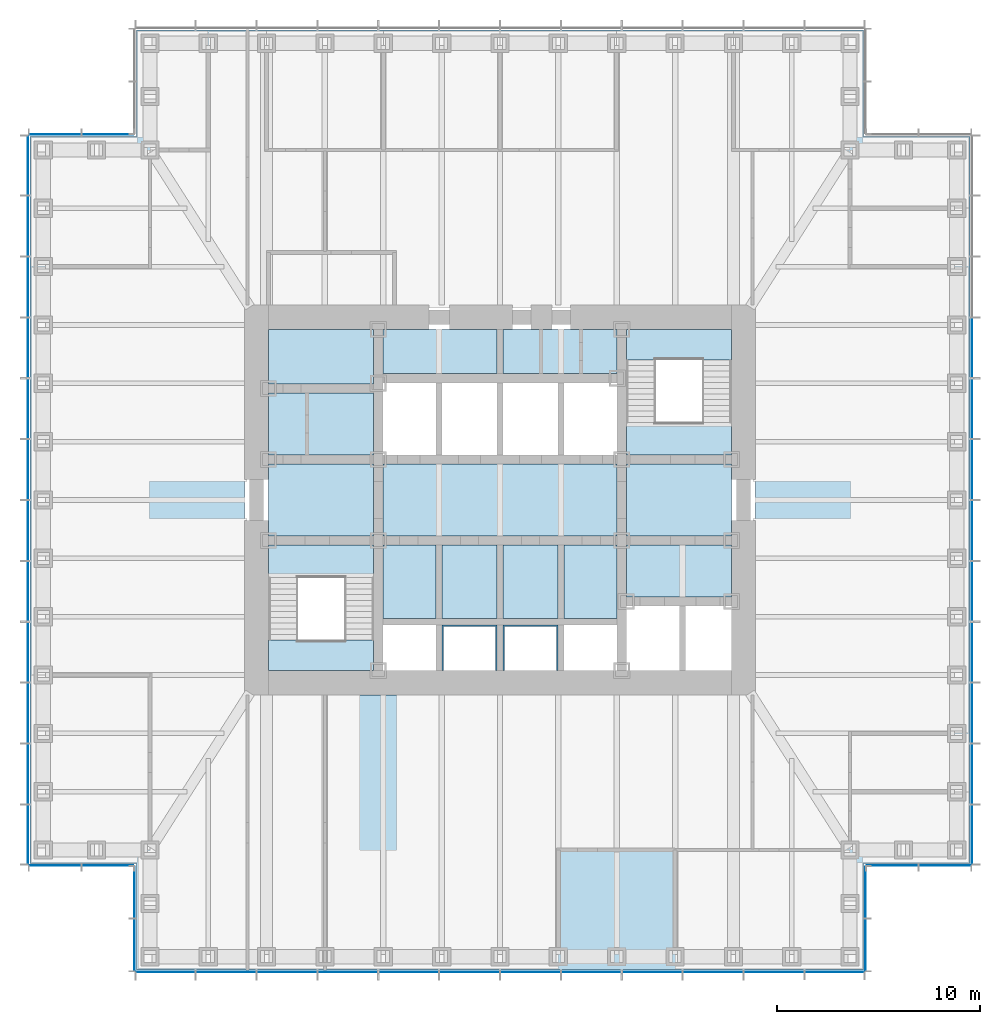
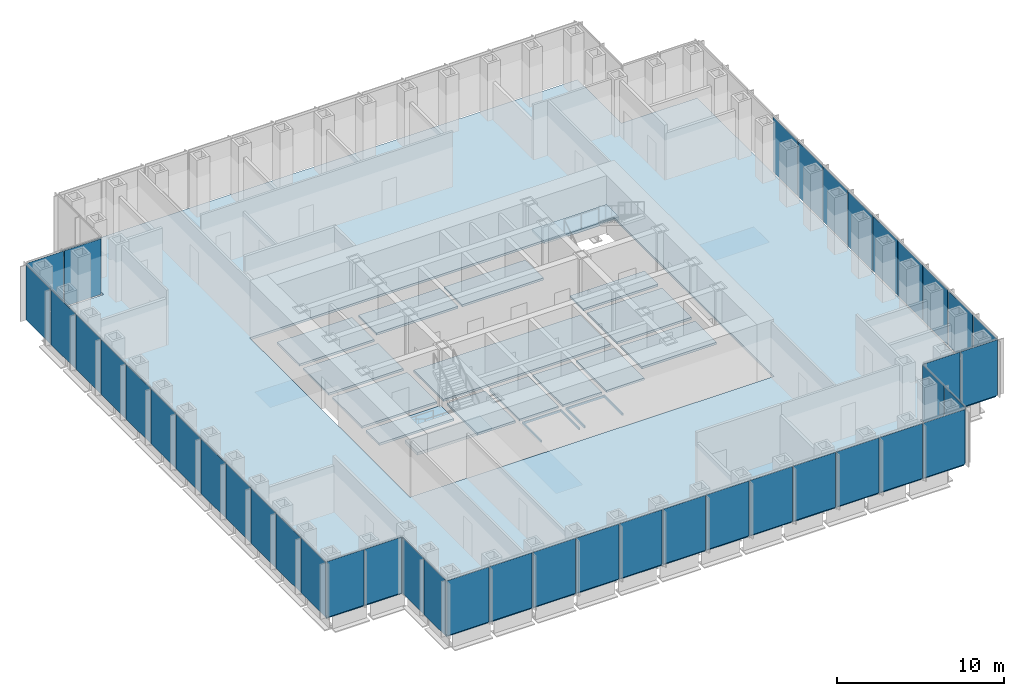
# One storey, part 7 of 17: 43 plates, 19 slabs, 10 elements without a shape of their own.
"""IFC4 building model written with IfcOpenShell, lengths in metres."""

from ifc_helpers import new_model, si_unit, direction, frame, origin, origin_2d, place, context, subcontext, project, spatial, polyline, rectangle, outline, extrude, material, layer, layer_set, type_object, element, aggregate, save


model = new_model("IFC4")

# Units and contexts
model_context = context("Model", 3, precision=1e-05, world=origin(), true_north=direction((0.0, 1.0)))
body_context = subcontext(model_context, "Body", "Model", "MODEL_VIEW")
ifc_project = project(units=[si_unit("LENGTHUNIT", "METRE"), si_unit("AREAUNIT", "SQUARE_METRE"), si_unit("VOLUMEUNIT", "CUBIC_METRE"), si_unit("PLANEANGLEUNIT", "RADIAN"), si_unit("MASSUNIT", "GRAM", prefix="KILO")], contexts=[model_context])

# Site, building, storey
site_placement = place(None, origin())
site = spatial("IfcSite", under=ifc_project, at=site_placement, CompositionType="ELEMENT")
building_placement = place(site_placement, origin())
building = spatial("IfcBuilding", under=site, at=building_placement, Name="Daluyong Arena Tower", CompositionType="ELEMENT")
storey_placement = place(building_placement, frame((0.0, 0.0, 129.10009765625)))
storey = spatial("IfcBuildingStorey", under=building, at=storey_placement, Name="L28", CompositionType="ELEMENT", Elevation=129.10009765625)

# Curtain wall, plates
ifc_material_1 = material(Name="Bronze anodised aluminium and glass", Category="aluminium")
curtain_wall_type_1 = type_object("IfcCurtainWallType", Name="Curtain wall CW2", PredefinedType="USERDEFINED", material=ifc_material_1)
curtain_wall_1_placement = place(storey_placement, origin())
curtain_wall_1 = element("IfcCurtainWall", 1, at=curtain_wall_1_placement, inside=storey, type_object=curtain_wall_type_1, Name="curtain wall L28 S", ObjectType="UNITISED CURTAIN WALL", PredefinedType="USERDEFINED")
ifc_material_2 = material(Name="Tinted double glazed unit", Category="glass")
ifc_layer_1 = layer(ifc_material_2, 0.031982421875)
ifc_layer_set_1 = layer_set([ifc_layer_1], Name="Tinted double glazed unit")
plate_type_1 = type_object("IfcPlateType", Name="CW2 panel 32", PredefinedType="CURTAIN_PANEL", material=ifc_layer_set_1)
plate_1_placement = place(storey_placement, frame((39.52001953125, 56.75, 0.0), z_axis=(0.0, 0.0, 1.0), x_axis=(1.0, 0.0, 0.0)))
plate_1 = element("IfcPlate", 2, at=plate_1_placement, type_object=plate_type_1, Name="curtain wall L28 S panel 1", PredefinedType="CURTAIN_PANEL", context=body_context, shape_type="SweptSolid", body=[
    extrude(rectangle(XDim=2.8798828125, YDim=0.031982421875, at=origin_2d()), origin(), (0.0, 0.0, 1.0), 4.02001953125),
])
plate_2_placement = place(storey_placement, frame((42.5, 56.75, 0.0), z_axis=(0.0, 0.0, 1.0), x_axis=(1.0, 0.0, 0.0)))
plate_2 = element("IfcPlate", 3, at=plate_2_placement, type_object=plate_type_1, Name="curtain wall L28 S panel 2", PredefinedType="CURTAIN_PANEL", context=body_context, shape_type="SweptSolid", body=[
    extrude(rectangle(XDim=2.919921875, YDim=0.031982421875, at=origin_2d()), origin(), (0.0, 0.0, 1.0), 4.02001953125),
])
plate_3_placement = place(storey_placement, frame((45.5, 56.75, 0.0), z_axis=(0.0, 0.0, 1.0), x_axis=(1.0, 0.0, 0.0)))
plate_3 = element("IfcPlate", 4, at=plate_3_placement, type_object=plate_type_1, Name="curtain wall L28 S panel 3", PredefinedType="CURTAIN_PANEL", context=body_context, shape_type="SweptSolid", body=[
    extrude(rectangle(XDim=2.919921875, YDim=0.031982421875, at=origin_2d()), origin(), (0.0, 0.0, 1.0), 4.02001953125),
])
plate_4_placement = place(storey_placement, frame((48.5, 56.75, 0.0), z_axis=(0.0, 0.0, 1.0), x_axis=(1.0, 0.0, 0.0)))
plate_4 = element("IfcPlate", 5, at=plate_4_placement, type_object=plate_type_1, Name="curtain wall L28 S panel 4", PredefinedType="CURTAIN_PANEL", context=body_context, shape_type="SweptSolid", body=[
    extrude(rectangle(XDim=2.919921875, YDim=0.031982421875, at=origin_2d()), origin(), (0.0, 0.0, 1.0), 4.02001953125),
])
plate_5_placement = place(storey_placement, frame((51.5, 56.75, 0.0), z_axis=(0.0, 0.0, 1.0), x_axis=(1.0, 0.0, 0.0)))
plate_5 = element("IfcPlate", 6, at=plate_5_placement, type_object=plate_type_1, Name="curtain wall L28 S panel 5", PredefinedType="CURTAIN_PANEL", context=body_context, shape_type="SweptSolid", body=[
    extrude(rectangle(XDim=2.919921875, YDim=0.031982421875, at=origin_2d()), origin(), (0.0, 0.0, 1.0), 4.02001953125),
])
plate_6_placement = place(storey_placement, frame((54.5, 56.75, 0.0), z_axis=(0.0, 0.0, 1.0), x_axis=(1.0, 0.0, 0.0)))
plate_6 = element("IfcPlate", 7, at=plate_6_placement, type_object=plate_type_1, Name="curtain wall L28 S panel 6", PredefinedType="CURTAIN_PANEL", context=body_context, shape_type="SweptSolid", body=[
    extrude(rectangle(XDim=2.919921875, YDim=0.031982421875, at=origin_2d()), origin(), (0.0, 0.0, 1.0), 4.02001953125),
])
plate_7_placement = place(storey_placement, frame((57.5, 56.75, 0.0), z_axis=(0.0, 0.0, 1.0), x_axis=(1.0, 0.0, 0.0)))
plate_7 = element("IfcPlate", 8, at=plate_7_placement, type_object=plate_type_1, Name="curtain wall L28 S panel 7", PredefinedType="CURTAIN_PANEL", context=body_context, shape_type="SweptSolid", body=[
    extrude(rectangle(XDim=2.919921875, YDim=0.031982421875, at=origin_2d()), origin(), (0.0, 0.0, 1.0), 4.02001953125),
])
plate_8_placement = place(storey_placement, frame((60.5, 56.75, 0.0), z_axis=(0.0, 0.0, 1.0), x_axis=(1.0, 0.0, 0.0)))
plate_8 = element("IfcPlate", 9, at=plate_8_placement, type_object=plate_type_1, Name="curtain wall L28 S panel 8", PredefinedType="CURTAIN_PANEL", context=body_context, shape_type="SweptSolid", body=[
    extrude(rectangle(XDim=2.919921875, YDim=0.031982421875, at=origin_2d()), origin(), (0.0, 0.0, 1.0), 4.02001953125),
])
plate_9_placement = place(storey_placement, frame((63.5, 56.75, 0.0), z_axis=(0.0, 0.0, 1.0), x_axis=(1.0, 0.0, 0.0)))
plate_9 = element("IfcPlate", 10, at=plate_9_placement, type_object=plate_type_1, Name="curtain wall L28 S panel 9", PredefinedType="CURTAIN_PANEL", context=body_context, shape_type="SweptSolid", body=[
    extrude(rectangle(XDim=2.919921875, YDim=0.031982421875, at=origin_2d()), origin(), (0.0, 0.0, 1.0), 4.02001953125),
])
plate_10_placement = place(storey_placement, frame((66.5, 56.75, 0.0), z_axis=(0.0, 0.0, 1.0), x_axis=(1.0, 0.0, 0.0)))
plate_10 = element("IfcPlate", 11, at=plate_10_placement, type_object=plate_type_1, Name="curtain wall L28 S panel 10", PredefinedType="CURTAIN_PANEL", context=body_context, shape_type="SweptSolid", body=[
    extrude(rectangle(XDim=2.919921875, YDim=0.031982421875, at=origin_2d()), origin(), (0.0, 0.0, 1.0), 4.02001953125),
])
plate_11_placement = place(storey_placement, frame((69.5, 56.75, 0.0), z_axis=(0.0, 0.0, 1.0), x_axis=(1.0, 0.0, 0.0)))
plate_11 = element("IfcPlate", 12, at=plate_11_placement, type_object=plate_type_1, Name="curtain wall L28 S panel 11", PredefinedType="CURTAIN_PANEL", context=body_context, shape_type="SweptSolid", body=[
    extrude(rectangle(XDim=2.919921875, YDim=0.031982421875, at=origin_2d()), origin(), (0.0, 0.0, 1.0), 4.02001953125),
])
plate_12_placement = place(storey_placement, frame((72.47998046875, 56.75, 0.0), z_axis=(0.0, 0.0, 1.0), x_axis=(1.0, 0.0, 0.0)))
plate_12 = element("IfcPlate", 13, at=plate_12_placement, type_object=plate_type_1, Name="curtain wall L28 S panel 12", PredefinedType="CURTAIN_PANEL", context=body_context, shape_type="SweptSolid", body=[
    extrude(rectangle(XDim=2.8798828125, YDim=0.031982421875, at=origin_2d()), origin(), (0.0, 0.0, 1.0), 4.02001953125),
])
aggregate(curtain_wall_1, [plate_1, plate_2, plate_3, plate_4, plate_5, plate_6, plate_7, plate_8, plate_9, plate_10, plate_11, plate_12])

curtain_wall_2_placement = place(storey_placement, origin())
curtain_wall_2 = element("IfcCurtainWall", 14, at=curtain_wall_2_placement, inside=storey, type_object=curtain_wall_type_1, Name="curtain wall L28 E", ObjectType="UNITISED CURTAIN WALL", PredefinedType="USERDEFINED")
plate_13_placement = place(storey_placement, frame((79.25, 63.52001953125, 0.0), z_axis=(0.0, 0.0, 1.0), x_axis=(0.0, 1.0, 0.0)))
plate_13 = element("IfcPlate", 15, at=plate_13_placement, type_object=plate_type_1, Name="curtain wall L28 E panel 1", PredefinedType="CURTAIN_PANEL", context=body_context, shape_type="SweptSolid", body=[
    extrude(rectangle(XDim=2.8798828125, YDim=0.031982421875, at=origin_2d()), origin(), (0.0, 0.0, 1.0), 4.02001953125),
])
plate_14_placement = place(storey_placement, frame((79.25, 66.5, 0.0), z_axis=(0.0, 0.0, 1.0), x_axis=(0.0, 1.0, 0.0)))
plate_14 = element("IfcPlate", 16, at=plate_14_placement, type_object=plate_type_1, Name="curtain wall L28 E panel 2", PredefinedType="CURTAIN_PANEL", context=body_context, shape_type="SweptSolid", body=[
    extrude(rectangle(XDim=2.919921875, YDim=0.031982421875, at=origin_2d()), origin(), (0.0, 0.0, 1.0), 4.02001953125),
])
plate_15_placement = place(storey_placement, frame((79.25, 69.5, 0.0), z_axis=(0.0, 0.0, 1.0), x_axis=(0.0, 1.0, 0.0)))
plate_15 = element("IfcPlate", 17, at=plate_15_placement, type_object=plate_type_1, Name="curtain wall L28 E panel 3", PredefinedType="CURTAIN_PANEL", context=body_context, shape_type="SweptSolid", body=[
    extrude(rectangle(XDim=2.919921875, YDim=0.031982421875, at=origin_2d()), origin(), (0.0, 0.0, 1.0), 4.02001953125),
])
plate_16_placement = place(storey_placement, frame((79.25, 72.5, 0.0), z_axis=(0.0, 0.0, 1.0), x_axis=(0.0, 1.0, 0.0)))
plate_16 = element("IfcPlate", 18, at=plate_16_placement, type_object=plate_type_1, Name="curtain wall L28 E panel 4", PredefinedType="CURTAIN_PANEL", context=body_context, shape_type="SweptSolid", body=[
    extrude(rectangle(XDim=2.919921875, YDim=0.031982421875, at=origin_2d()), origin(), (0.0, 0.0, 1.0), 4.02001953125),
])
plate_17_placement = place(storey_placement, frame((79.25, 75.5, 0.0), z_axis=(0.0, 0.0, 1.0), x_axis=(0.0, 1.0, 0.0)))
plate_17 = element("IfcPlate", 19, at=plate_17_placement, type_object=plate_type_1, Name="curtain wall L28 E panel 5", PredefinedType="CURTAIN_PANEL", context=body_context, shape_type="SweptSolid", body=[
    extrude(rectangle(XDim=2.919921875, YDim=0.031982421875, at=origin_2d()), origin(), (0.0, 0.0, 1.0), 4.02001953125),
])
plate_18_placement = place(storey_placement, frame((79.25, 78.5, 0.0), z_axis=(0.0, 0.0, 1.0), x_axis=(0.0, 1.0, 0.0)))
plate_18 = element("IfcPlate", 20, at=plate_18_placement, type_object=plate_type_1, Name="curtain wall L28 E panel 6", PredefinedType="CURTAIN_PANEL", context=body_context, shape_type="SweptSolid", body=[
    extrude(rectangle(XDim=2.919921875, YDim=0.031982421875, at=origin_2d()), origin(), (0.0, 0.0, 1.0), 4.02001953125),
])
plate_19_placement = place(storey_placement, frame((79.25, 81.5, 0.0), z_axis=(0.0, 0.0, 1.0), x_axis=(0.0, 1.0, 0.0)))
plate_19 = element("IfcPlate", 21, at=plate_19_placement, type_object=plate_type_1, Name="curtain wall L28 E panel 7", PredefinedType="CURTAIN_PANEL", context=body_context, shape_type="SweptSolid", body=[
    extrude(rectangle(XDim=2.919921875, YDim=0.031982421875, at=origin_2d()), origin(), (0.0, 0.0, 1.0), 4.02001953125),
])
plate_20_placement = place(storey_placement, frame((79.25, 84.5, 0.0), z_axis=(0.0, 0.0, 1.0), x_axis=(0.0, 1.0, 0.0)))
plate_20 = element("IfcPlate", 22, at=plate_20_placement, type_object=plate_type_1, Name="curtain wall L28 E panel 8", PredefinedType="CURTAIN_PANEL", context=body_context, shape_type="SweptSolid", body=[
    extrude(rectangle(XDim=2.919921875, YDim=0.031982421875, at=origin_2d()), origin(), (0.0, 0.0, 1.0), 4.02001953125),
])
plate_21_placement = place(storey_placement, frame((79.25, 87.5, 0.0), z_axis=(0.0, 0.0, 1.0), x_axis=(0.0, 1.0, 0.0)))
plate_21 = element("IfcPlate", 23, at=plate_21_placement, type_object=plate_type_1, Name="curtain wall L28 E panel 9", PredefinedType="CURTAIN_PANEL", context=body_context, shape_type="SweptSolid", body=[
    extrude(rectangle(XDim=2.919921875, YDim=0.031982421875, at=origin_2d()), origin(), (0.0, 0.0, 1.0), 4.02001953125),
])
aggregate(curtain_wall_2, [plate_13, plate_14, plate_15, plate_16, plate_17, plate_18, plate_19, plate_20, plate_21])

curtain_wall_3_placement = place(storey_placement, origin())
curtain_wall_3 = element("IfcCurtainWall", 24, at=curtain_wall_3_placement, inside=storey, type_object=curtain_wall_type_1, Name="curtain wall L28 W", ObjectType="UNITISED CURTAIN WALL", PredefinedType="USERDEFINED")
plate_22_placement = place(storey_placement, frame((32.75, 96.47998046875, 0.0), z_axis=(0.0, 0.0, 1.0), x_axis=(0.0, -1.0, 0.0)))
plate_22 = element("IfcPlate", 25, at=plate_22_placement, type_object=plate_type_1, Name="curtain wall L28 W panel 1", PredefinedType="CURTAIN_PANEL", context=body_context, shape_type="SweptSolid", body=[
    extrude(rectangle(XDim=2.8798828125, YDim=0.031982421875, at=origin_2d()), origin(), (0.0, 0.0, 1.0), 4.02001953125),
])
plate_23_placement = place(storey_placement, frame((32.75, 93.5, 0.0), z_axis=(0.0, 0.0, 1.0), x_axis=(0.0, -1.0, 0.0)))
plate_23 = element("IfcPlate", 26, at=plate_23_placement, type_object=plate_type_1, Name="curtain wall L28 W panel 2", PredefinedType="CURTAIN_PANEL", context=body_context, shape_type="SweptSolid", body=[
    extrude(rectangle(XDim=2.919921875, YDim=0.031982421875, at=origin_2d()), origin(), (0.0, 0.0, 1.0), 4.02001953125),
])
plate_24_placement = place(storey_placement, frame((32.75, 90.5, 0.0), z_axis=(0.0, 0.0, 1.0), x_axis=(0.0, -1.0, 0.0)))
plate_24 = element("IfcPlate", 27, at=plate_24_placement, type_object=plate_type_1, Name="curtain wall L28 W panel 3", PredefinedType="CURTAIN_PANEL", context=body_context, shape_type="SweptSolid", body=[
    extrude(rectangle(XDim=2.919921875, YDim=0.031982421875, at=origin_2d()), origin(), (0.0, 0.0, 1.0), 4.02001953125),
])
plate_25_placement = place(storey_placement, frame((32.75, 87.5, 0.0), z_axis=(0.0, 0.0, 1.0), x_axis=(0.0, -1.0, 0.0)))
plate_25 = element("IfcPlate", 28, at=plate_25_placement, type_object=plate_type_1, Name="curtain wall L28 W panel 4", PredefinedType="CURTAIN_PANEL", context=body_context, shape_type="SweptSolid", body=[
    extrude(rectangle(XDim=2.919921875, YDim=0.031982421875, at=origin_2d()), origin(), (0.0, 0.0, 1.0), 4.02001953125),
])
plate_26_placement = place(storey_placement, frame((32.75, 84.5, 0.0), z_axis=(0.0, 0.0, 1.0), x_axis=(0.0, -1.0, 0.0)))
plate_26 = element("IfcPlate", 29, at=plate_26_placement, type_object=plate_type_1, Name="curtain wall L28 W panel 5", PredefinedType="CURTAIN_PANEL", context=body_context, shape_type="SweptSolid", body=[
    extrude(rectangle(XDim=2.919921875, YDim=0.031982421875, at=origin_2d()), origin(), (0.0, 0.0, 1.0), 4.02001953125),
])
plate_27_placement = place(storey_placement, frame((32.75, 81.5, 0.0), z_axis=(0.0, 0.0, 1.0), x_axis=(0.0, -1.0, 0.0)))
plate_27 = element("IfcPlate", 30, at=plate_27_placement, type_object=plate_type_1, Name="curtain wall L28 W panel 6", PredefinedType="CURTAIN_PANEL", context=body_context, shape_type="SweptSolid", body=[
    extrude(rectangle(XDim=2.919921875, YDim=0.031982421875, at=origin_2d()), origin(), (0.0, 0.0, 1.0), 4.02001953125),
])
plate_28_placement = place(storey_placement, frame((32.75, 78.5, 0.0), z_axis=(0.0, 0.0, 1.0), x_axis=(0.0, -1.0, 0.0)))
plate_28 = element("IfcPlate", 31, at=plate_28_placement, type_object=plate_type_1, Name="curtain wall L28 W panel 7", PredefinedType="CURTAIN_PANEL", context=body_context, shape_type="SweptSolid", body=[
    extrude(rectangle(XDim=2.919921875, YDim=0.031982421875, at=origin_2d()), origin(), (0.0, 0.0, 1.0), 4.02001953125),
])
plate_29_placement = place(storey_placement, frame((32.75, 75.5, 0.0), z_axis=(0.0, 0.0, 1.0), x_axis=(0.0, -1.0, 0.0)))
plate_29 = element("IfcPlate", 32, at=plate_29_placement, type_object=plate_type_1, Name="curtain wall L28 W panel 8", PredefinedType="CURTAIN_PANEL", context=body_context, shape_type="SweptSolid", body=[
    extrude(rectangle(XDim=2.919921875, YDim=0.031982421875, at=origin_2d()), origin(), (0.0, 0.0, 1.0), 4.02001953125),
])
plate_30_placement = place(storey_placement, frame((32.75, 72.5, 0.0), z_axis=(0.0, 0.0, 1.0), x_axis=(0.0, -1.0, 0.0)))
plate_30 = element("IfcPlate", 33, at=plate_30_placement, type_object=plate_type_1, Name="curtain wall L28 W panel 9", PredefinedType="CURTAIN_PANEL", context=body_context, shape_type="SweptSolid", body=[
    extrude(rectangle(XDim=2.919921875, YDim=0.031982421875, at=origin_2d()), origin(), (0.0, 0.0, 1.0), 4.02001953125),
])
plate_31_placement = place(storey_placement, frame((32.75, 69.5, 0.0), z_axis=(0.0, 0.0, 1.0), x_axis=(0.0, -1.0, 0.0)))
plate_31 = element("IfcPlate", 34, at=plate_31_placement, type_object=plate_type_1, Name="curtain wall L28 W panel 10", PredefinedType="CURTAIN_PANEL", context=body_context, shape_type="SweptSolid", body=[
    extrude(rectangle(XDim=2.919921875, YDim=0.031982421875, at=origin_2d()), origin(), (0.0, 0.0, 1.0), 4.02001953125),
])
plate_32_placement = place(storey_placement, frame((32.75, 66.5, 0.0), z_axis=(0.0, 0.0, 1.0), x_axis=(0.0, -1.0, 0.0)))
plate_32 = element("IfcPlate", 35, at=plate_32_placement, type_object=plate_type_1, Name="curtain wall L28 W panel 11", PredefinedType="CURTAIN_PANEL", context=body_context, shape_type="SweptSolid", body=[
    extrude(rectangle(XDim=2.919921875, YDim=0.031982421875, at=origin_2d()), origin(), (0.0, 0.0, 1.0), 4.02001953125),
])
plate_33_placement = place(storey_placement, frame((32.75, 63.52001953125, 0.0), z_axis=(0.0, 0.0, 1.0), x_axis=(0.0, -1.0, 0.0)))
plate_33 = element("IfcPlate", 36, at=plate_33_placement, type_object=plate_type_1, Name="curtain wall L28 W panel 12", PredefinedType="CURTAIN_PANEL", context=body_context, shape_type="SweptSolid", body=[
    extrude(rectangle(XDim=2.8798828125, YDim=0.031982421875, at=origin_2d()), origin(), (0.0, 0.0, 1.0), 4.02001953125),
])
aggregate(curtain_wall_3, [plate_22, plate_23, plate_24, plate_25, plate_26, plate_27, plate_28, plate_29, plate_30, plate_31, plate_32, plate_33])

ifc_material_3 = material(Name="Bronze anodised aluminium and glass", Category="aluminium")
curtain_wall_type_2 = type_object("IfcCurtainWallType", Name="Curtain wall CW7", PredefinedType="USERDEFINED", material=ifc_material_3)
curtain_wall_4_placement = place(storey_placement, origin())
curtain_wall_4 = element("IfcCurtainWall", 37, at=curtain_wall_4_placement, inside=storey, type_object=curtain_wall_type_2, Name="curtain wall L28 SE-E", ObjectType="UNITISED CURTAIN WALL", PredefinedType="USERDEFINED")
ifc_material_4 = material(Name="Tinted double glazed unit", Category="glass")
ifc_layer_2 = layer(ifc_material_4, 0.028076171875)
ifc_layer_set_2 = layer_set([ifc_layer_2], Name="Tinted double glazed unit")
plate_type_2 = type_object("IfcPlateType", Name="CW7 panel 28", PredefinedType="CURTAIN_PANEL", material=ifc_layer_set_2)
plate_34_placement = place(storey_placement, frame((74.0, 58.077392578125, -0.000244140625), z_axis=(0.0, 0.0, 1.0), x_axis=(0.0, 1.0, 0.0)))
plate_34 = element("IfcPlate", 38, at=plate_34_placement, type_object=plate_type_2, Name="curtain wall L28 SE-E panel 1", PredefinedType="CURTAIN_PANEL", context=body_context, shape_type="SweptSolid", body=[
    extrude(rectangle(XDim=2.534912109375, YDim=0.028076171875, at=origin_2d()), origin(), (0.0, 0.0, 1.0), 4.080078125),
])
plate_35_placement = place(storey_placement, frame((74.0, 60.672607421875, -0.000244140625), z_axis=(0.0, 0.0, 1.0), x_axis=(0.0, 1.0, 0.0)))
plate_35 = element("IfcPlate", 39, at=plate_35_placement, type_object=plate_type_2, Name="curtain wall L28 SE-E panel 2", PredefinedType="CURTAIN_PANEL", context=body_context, shape_type="SweptSolid", body=[
    extrude(rectangle(XDim=2.534912109375, YDim=0.028076171875, at=origin_2d()), origin(), (0.0, 0.0, 1.0), 4.080078125),
])
aggregate(curtain_wall_4, [plate_34, plate_35])

curtain_wall_5_placement = place(storey_placement, origin())
curtain_wall_5 = element("IfcCurtainWall", 40, at=curtain_wall_5_placement, inside=storey, type_object=curtain_wall_type_2, Name="curtain wall L28 SE-S", ObjectType="UNITISED CURTAIN WALL", PredefinedType="USERDEFINED")
plate_36_placement = place(storey_placement, frame((75.327392578125, 62.0, -0.000244140625), z_axis=(0.0, 0.0, 1.0), x_axis=(1.0, 0.0, 0.0)))
plate_36 = element("IfcPlate", 41, at=plate_36_placement, type_object=plate_type_2, Name="curtain wall L28 SE-S panel 1", PredefinedType="CURTAIN_PANEL", context=body_context, shape_type="SweptSolid", body=[
    extrude(rectangle(XDim=2.534912109375, YDim=0.028076171875, at=origin_2d()), origin(), (0.0, 0.0, 1.0), 4.080078125),
])
plate_37_placement = place(storey_placement, frame((77.922607421875, 62.0, -0.000244140625), z_axis=(0.0, 0.0, 1.0), x_axis=(1.0, 0.0, 0.0)))
plate_37 = element("IfcPlate", 42, at=plate_37_placement, type_object=plate_type_2, Name="curtain wall L28 SE-S panel 2", PredefinedType="CURTAIN_PANEL", context=body_context, shape_type="SweptSolid", body=[
    extrude(rectangle(XDim=2.534912109375, YDim=0.028076171875, at=origin_2d()), origin(), (0.0, 0.0, 1.0), 4.080078125),
])
aggregate(curtain_wall_5, [plate_36, plate_37])

curtain_wall_6_placement = place(storey_placement, origin())
curtain_wall_6 = element("IfcCurtainWall", 43, at=curtain_wall_6_placement, inside=storey, type_object=curtain_wall_type_2, Name="curtain wall L28 NW-N", ObjectType="UNITISED CURTAIN WALL", PredefinedType="USERDEFINED")
plate_38_placement = place(storey_placement, frame((36.672607421875, 98.0, -0.000244140625), z_axis=(0.0, 0.0, 1.0), x_axis=(-1.0, 0.0, 0.0)))
plate_38 = element("IfcPlate", 44, at=plate_38_placement, type_object=plate_type_2, Name="curtain wall L28 NW-N panel 1", PredefinedType="CURTAIN_PANEL", context=body_context, shape_type="SweptSolid", body=[
    extrude(rectangle(XDim=2.534912109375, YDim=0.028076171875, at=origin_2d()), origin(), (0.0, 0.0, 1.0), 4.080078125),
])
plate_39_placement = place(storey_placement, frame((34.077392578125, 98.0, -0.000244140625), z_axis=(0.0, 0.0, 1.0), x_axis=(-1.0, 0.0, 0.0)))
plate_39 = element("IfcPlate", 45, at=plate_39_placement, type_object=plate_type_2, Name="curtain wall L28 NW-N panel 2", PredefinedType="CURTAIN_PANEL", context=body_context, shape_type="SweptSolid", body=[
    extrude(rectangle(XDim=2.534912109375, YDim=0.028076171875, at=origin_2d()), origin(), (0.0, 0.0, 1.0), 4.080078125),
])
aggregate(curtain_wall_6, [plate_38, plate_39])

curtain_wall_7_placement = place(storey_placement, origin())
curtain_wall_7 = element("IfcCurtainWall", 46, at=curtain_wall_7_placement, inside=storey, type_object=curtain_wall_type_2, Name="curtain wall L28 SW-S", ObjectType="UNITISED CURTAIN WALL", PredefinedType="USERDEFINED")
plate_40_placement = place(storey_placement, frame((34.077392578125, 62.0, -0.000244140625), z_axis=(0.0, 0.0, 1.0), x_axis=(1.0, 0.0, 0.0)))
plate_40 = element("IfcPlate", 47, at=plate_40_placement, type_object=plate_type_2, Name="curtain wall L28 SW-S panel 1", PredefinedType="CURTAIN_PANEL", context=body_context, shape_type="SweptSolid", body=[
    extrude(rectangle(XDim=2.534912109375, YDim=0.028076171875, at=origin_2d()), origin(), (0.0, 0.0, 1.0), 4.080078125),
])
plate_41_placement = place(storey_placement, frame((36.672607421875, 62.0, -0.000244140625), z_axis=(0.0, 0.0, 1.0), x_axis=(1.0, 0.0, 0.0)))
plate_41 = element("IfcPlate", 48, at=plate_41_placement, type_object=plate_type_2, Name="curtain wall L28 SW-S panel 2", PredefinedType="CURTAIN_PANEL", context=body_context, shape_type="SweptSolid", body=[
    extrude(rectangle(XDim=2.534912109375, YDim=0.028076171875, at=origin_2d()), origin(), (0.0, 0.0, 1.0), 4.080078125),
])
aggregate(curtain_wall_7, [plate_40, plate_41])

curtain_wall_8_placement = place(storey_placement, origin())
curtain_wall_8 = element("IfcCurtainWall", 49, at=curtain_wall_8_placement, inside=storey, type_object=curtain_wall_type_2, Name="curtain wall L28 SW-W", ObjectType="UNITISED CURTAIN WALL", PredefinedType="USERDEFINED")
plate_42_placement = place(storey_placement, frame((38.0, 60.672607421875, -0.000244140625), z_axis=(0.0, 0.0, 1.0), x_axis=(0.0, -1.0, 0.0)))
plate_42 = element("IfcPlate", 50, at=plate_42_placement, type_object=plate_type_2, Name="curtain wall L28 SW-W panel 1", PredefinedType="CURTAIN_PANEL", context=body_context, shape_type="SweptSolid", body=[
    extrude(rectangle(XDim=2.534912109375, YDim=0.028076171875, at=origin_2d()), origin(), (0.0, 0.0, 1.0), 4.080078125),
])
plate_43_placement = place(storey_placement, frame((38.0, 58.077392578125, -0.000244140625), z_axis=(0.0, 0.0, 1.0), x_axis=(0.0, -1.0, 0.0)))
plate_43 = element("IfcPlate", 51, at=plate_43_placement, type_object=plate_type_2, Name="curtain wall L28 SW-W panel 2", PredefinedType="CURTAIN_PANEL", context=body_context, shape_type="SweptSolid", body=[
    extrude(rectangle(XDim=2.534912109375, YDim=0.028076171875, at=origin_2d()), origin(), (0.0, 0.0, 1.0), 4.080078125),
])
aggregate(curtain_wall_8, [plate_42, plate_43])

# Stair, slab
ifc_material_5 = material(Name="Concrete fc' 35 MPa", Category="concrete")
stair_type = type_object("IfcStairType", Name="Core exit stair", PredefinedType="HALF_TURN_STAIR", material=ifc_material_5)
stair_1_placement = place(storey_placement, origin())
stair_1 = element("IfcStair", 52, at=stair_1_placement, inside=storey, type_object=stair_type, Name="exit stair A L28", PredefinedType="HALF_TURN_STAIR")
ifc_material_6 = material(Name="Concrete fc' 35 MPa", Category="concrete")
ifc_layer_3 = layer(ifc_material_6, 0.199951171875)
ifc_layer_set_3 = layer_set([ifc_layer_3], Name="Concrete fc' 35 MPa")
slab_type_1 = type_object("IfcSlabType", Name="Stair landing 200", PredefinedType="LANDING", material=ifc_layer_set_3)
slab_1_placement = place(storey_placement, frame((0.0, 0.0, 1.89990234375)))
slab_1 = element("IfcSlab", 53, at=slab_1_placement, type_object=slab_type_1, Name="STA landing 1", PredefinedType="LANDING", context=body_context, shape_type="SweptSolid", body=[
    extrude(outline(polyline([(44.60009765625, 71.60009765625), (49.77490234375, 71.60009765625), (49.77490234375, 73.094970703125), (44.60009765625, 73.094970703125), (44.60009765625, 71.60009765625)])), origin(), (0.0, 0.0, 1.0), 0.199951171875),
])
aggregate(stair_1, [slab_1])

stair_2_placement = place(storey_placement, origin())
stair_2 = element("IfcStair", 54, at=stair_2_placement, inside=storey, type_object=stair_type, Name="exit stair B L28", PredefinedType="HALF_TURN_STAIR")
slab_2_placement = place(storey_placement, frame((0.0, 0.0, 1.89990234375)))
slab_2 = element("IfcSlab", 55, at=slab_2_placement, type_object=slab_type_1, Name="STB landing 1", PredefinedType="LANDING", context=body_context, shape_type="SweptSolid", body=[
    extrude(outline(polyline([(62.22509765625, 86.905029296875), (67.39990234375, 86.905029296875), (67.39990234375, 88.39990234375), (62.22509765625, 88.39990234375), (62.22509765625, 86.905029296875)])), origin(), (0.0, 0.0, 1.0), 0.199951171875),
])
aggregate(stair_2, [slab_2])

# Slabs
ifc_material_7 = material(Name="Concrete fc' 35 MPa", Category="concrete")
ifc_layer_4 = layer(ifc_material_7, 0.159912109375)
ifc_layer_set_4 = layer_set([ifc_layer_4], Name="Concrete fc' 35 MPa")
slab_type_2 = type_object("IfcSlabType", Name="Tower floor slab 160", PredefinedType="FLOOR", material=ifc_layer_set_4)
slab_3_placement = place(storey_placement, frame((0.0, 0.0, -0.16015625)))
element("IfcSlab", 56, at=slab_3_placement, inside=storey, type_object=slab_type_2, Name="floor L28 part 1", PredefinedType="FLOOR", context=body_context, shape_type="SweptSolid", body=[
    extrude(outline(polyline([(49.77490234375, 76.175048828125), (49.77490234375, 77.77490234375), (44.60009765625, 77.77490234375), (44.60009765625, 76.175048828125), (49.77490234375, 76.175048828125)])), origin(), (0.0, 0.0, 1.0), 0.16015625),
])
slab_4_placement = place(storey_placement, frame((0.0, 0.0, -0.16015625)))
element("IfcSlab", 57, at=slab_4_placement, inside=storey, type_object=slab_type_2, Name="floor L28 part 2", PredefinedType="FLOOR", context=body_context, shape_type="SweptSolid", body=[
    extrude(outline(polyline([(44.60009765625, 78.22509765625), (49.77490234375, 78.22509765625), (49.77490234375, 81.77490234375), (44.60009765625, 81.77490234375), (44.60009765625, 78.22509765625)])), origin(), (0.0, 0.0, 1.0), 0.16015625),
])
slab_5_placement = place(storey_placement, frame((0.0, 0.0, -0.16015625)))
element("IfcSlab", 58, at=slab_5_placement, inside=storey, type_object=slab_type_2, Name="floor L28 part 3", PredefinedType="FLOOR", context=body_context, shape_type="SweptSolid", body=[
    extrude(outline(polyline([(44.60009765625, 82.22509765625), (49.77490234375, 82.22509765625), (49.77490234375, 85.27490234375), (44.60009765625, 85.27490234375), (44.60009765625, 82.22509765625)])), origin(), (0.0, 0.0, 1.0), 0.16015625),
])
slab_6_placement = place(storey_placement, frame((0.0, 0.0, -0.16015625)))
element("IfcSlab", 59, at=slab_6_placement, inside=storey, type_object=slab_type_2, Name="floor L28 part 4", PredefinedType="FLOOR", context=body_context, shape_type="SweptSolid", body=[
    extrude(outline(polyline([(49.77490234375, 88.39990234375), (44.60009765625, 88.39990234375), (44.60009765625, 85.72509765625), (49.77490234375, 85.72509765625), (49.77490234375, 88.39990234375)])), origin(), (0.0, 0.0, 1.0), 0.16015625),
])
slab_7_placement = place(storey_placement, frame((0.0, 0.0, -0.16015625)))
element("IfcSlab", 60, at=slab_7_placement, inside=storey, type_object=slab_type_2, Name="floor L28 part 5", PredefinedType="FLOOR", context=body_context, shape_type="SweptSolid", body=[
    extrude(outline(polyline([(52.85009765625, 77.77490234375), (50.22509765625, 77.77490234375), (50.22509765625, 74.14990234375), (52.85009765625, 74.14990234375), (52.85009765625, 77.77490234375)])), origin(), (0.0, 0.0, 1.0), 0.16015625),
])
slab_8_placement = place(storey_placement, frame((0.0, 0.0, -0.16015625)))
element("IfcSlab", 61, at=slab_8_placement, inside=storey, type_object=slab_type_2, Name="floor L28 part 6", PredefinedType="FLOOR", context=body_context, shape_type="SweptSolid", body=[
    extrude(outline(polyline([(55.85009765625, 88.39990234375), (50.22509765625, 88.39990234375), (50.22509765625, 86.22509765625), (55.85009765625, 86.22509765625), (55.85009765625, 88.39990234375)])), origin(), (0.0, 0.0, 1.0), 0.16015625),
])
slab_9_placement = place(storey_placement, frame((0.0, 0.0, -0.16015625)))
element("IfcSlab", 62, at=slab_9_placement, inside=storey, type_object=slab_type_2, Name="floor L28 part 7", PredefinedType="FLOOR", context=body_context, shape_type="SweptSolid", body=[
    extrude(outline(polyline([(55.77490234375, 73.77490234375), (55.77490234375, 71.60009765625), (55.85009765625, 71.60009765625), (55.85009765625, 73.85009765625), (53.14990234375, 73.85009765625), (53.14990234375, 71.60009765625), (53.22509765625, 71.60009765625), (53.22509765625, 73.77490234375), (55.77490234375, 73.77490234375)])), origin(), (0.0, 0.0, 1.0), 0.16015625),
])
slab_10_placement = place(storey_placement, frame((0.0, 0.0, -0.16015625)))
element("IfcSlab", 63, at=slab_10_placement, inside=storey, type_object=slab_type_2, Name="floor L28 part 8", PredefinedType="FLOOR", context=body_context, shape_type="SweptSolid", body=[
    extrude(outline(polyline([(55.85009765625, 77.77490234375), (53.14990234375, 77.77490234375), (53.14990234375, 74.14990234375), (55.85009765625, 74.14990234375), (55.85009765625, 77.77490234375)])), origin(), (0.0, 0.0, 1.0), 0.16015625),
])
slab_11_placement = place(storey_placement, frame((0.0, 0.0, -0.16015625)))
element("IfcSlab", 64, at=slab_11_placement, inside=storey, type_object=slab_type_2, Name="floor L28 part 9", PredefinedType="FLOOR", context=body_context, shape_type="SweptSolid", body=[
    extrude(outline(polyline([(38.10009765625, 62.10009765625), (38.10009765625, 56.85009765625), (73.89990234375, 56.85009765625), (73.89990234375, 62.10009765625), (79.14990234375, 62.10009765625), (79.14990234375, 97.89990234375), (73.89990234375, 97.89990234375), (73.89990234375, 103.14990234375), (38.10009765625, 103.14990234375), (38.10009765625, 97.89990234375), (32.85009765625, 97.89990234375), (32.85009765625, 62.10009765625), (38.10009765625, 62.10009765625)]), holes=[polyline([(68.60009765625, 89.60009765625), (68.60009765625, 70.39990234375), (43.39990234375, 70.39990234375), (43.39990234375, 89.60009765625), (68.60009765625, 89.60009765625)])]), origin(), (0.0, 0.0, 1.0), 0.16015625),
])
slab_12_placement = place(storey_placement, frame((0.0, 0.0, -0.16015625)))
element("IfcSlab", 65, at=slab_12_placement, inside=storey, type_object=slab_type_2, Name="floor L28 part 10", PredefinedType="FLOOR", context=body_context, shape_type="SweptSolid", body=[
    extrude(outline(polyline([(61.77490234375, 78.22509765625), (61.77490234375, 81.77490234375), (50.22509765625, 81.77490234375), (50.22509765625, 78.22509765625), (61.77490234375, 78.22509765625)])), origin(), (0.0, 0.0, 1.0), 0.16015625),
])
slab_13_placement = place(storey_placement, frame((0.0, 0.0, -0.16015625)))
element("IfcSlab", 66, at=slab_13_placement, inside=storey, type_object=slab_type_2, Name="floor L28 part 11", PredefinedType="FLOOR", context=body_context, shape_type="SweptSolid", body=[
    extrude(outline(polyline([(58.85009765625, 71.60009765625), (58.85009765625, 73.85009765625), (56.14990234375, 73.85009765625), (56.14990234375, 71.60009765625), (56.22509765625, 71.60009765625), (56.22509765625, 73.77490234375), (58.77490234375, 73.77490234375), (58.77490234375, 71.60009765625), (58.85009765625, 71.60009765625)])), origin(), (0.0, 0.0, 1.0), 0.16015625),
])
slab_14_placement = place(storey_placement, frame((0.0, 0.0, -0.16015625)))
element("IfcSlab", 67, at=slab_14_placement, inside=storey, type_object=slab_type_2, Name="floor L28 part 12", PredefinedType="FLOOR", context=body_context, shape_type="SweptSolid", body=[
    extrude(outline(polyline([(58.85009765625, 77.77490234375), (56.14990234375, 77.77490234375), (56.14990234375, 74.14990234375), (58.85009765625, 74.14990234375), (58.85009765625, 77.77490234375)])), origin(), (0.0, 0.0, 1.0), 0.16015625),
])
slab_15_placement = place(storey_placement, frame((0.0, 0.0, -0.16015625)))
element("IfcSlab", 68, at=slab_15_placement, inside=storey, type_object=slab_type_2, Name="floor L28 part 13", PredefinedType="FLOOR", context=body_context, shape_type="SweptSolid", body=[
    extrude(outline(polyline([(56.14990234375, 88.39990234375), (56.14990234375, 86.22509765625), (61.77490234375, 86.22509765625), (61.77490234375, 88.39990234375), (56.14990234375, 88.39990234375)])), origin(), (0.0, 0.0, 1.0), 0.16015625),
])
slab_16_placement = place(storey_placement, frame((0.0, 0.0, -0.16015625)))
element("IfcSlab", 69, at=slab_16_placement, inside=storey, type_object=slab_type_2, Name="floor L28 part 14", PredefinedType="FLOOR", context=body_context, shape_type="SweptSolid", body=[
    extrude(outline(polyline([(59.14990234375, 77.77490234375), (59.14990234375, 74.14990234375), (61.77490234375, 74.14990234375), (61.77490234375, 77.77490234375), (59.14990234375, 77.77490234375)])), origin(), (0.0, 0.0, 1.0), 0.16015625),
])
slab_17_placement = place(storey_placement, frame((0.0, 0.0, -0.16015625)))
element("IfcSlab", 70, at=slab_17_placement, inside=storey, type_object=slab_type_2, Name="floor L28 part 15", PredefinedType="FLOOR", context=body_context, shape_type="SweptSolid", body=[
    extrude(outline(polyline([(62.22509765625, 75.22509765625), (67.39990234375, 75.22509765625), (67.39990234375, 77.77490234375), (62.22509765625, 77.77490234375), (62.22509765625, 75.22509765625)])), origin(), (0.0, 0.0, 1.0), 0.16015625),
])
slab_18_placement = place(storey_placement, frame((0.0, 0.0, -0.16015625)))
element("IfcSlab", 71, at=slab_18_placement, inside=storey, type_object=slab_type_2, Name="floor L28 part 16", PredefinedType="FLOOR", context=body_context, shape_type="SweptSolid", body=[
    extrude(outline(polyline([(62.22509765625, 78.22509765625), (67.39990234375, 78.22509765625), (67.39990234375, 81.77490234375), (62.22509765625, 81.77490234375), (62.22509765625, 78.22509765625)])), origin(), (0.0, 0.0, 1.0), 0.16015625),
])
slab_19_placement = place(storey_placement, frame((0.0, 0.0, -0.16015625)))
element("IfcSlab", 72, at=slab_19_placement, inside=storey, type_object=slab_type_2, Name="floor L28 part 17", PredefinedType="FLOOR", context=body_context, shape_type="SweptSolid", body=[
    extrude(outline(polyline([(62.22509765625, 82.22509765625), (67.39990234375, 82.22509765625), (67.39990234375, 83.824951171875), (62.22509765625, 83.824951171875), (62.22509765625, 82.22509765625)])), origin(), (0.0, 0.0, 1.0), 0.16015625),
])

save(model, "model.ifc")
